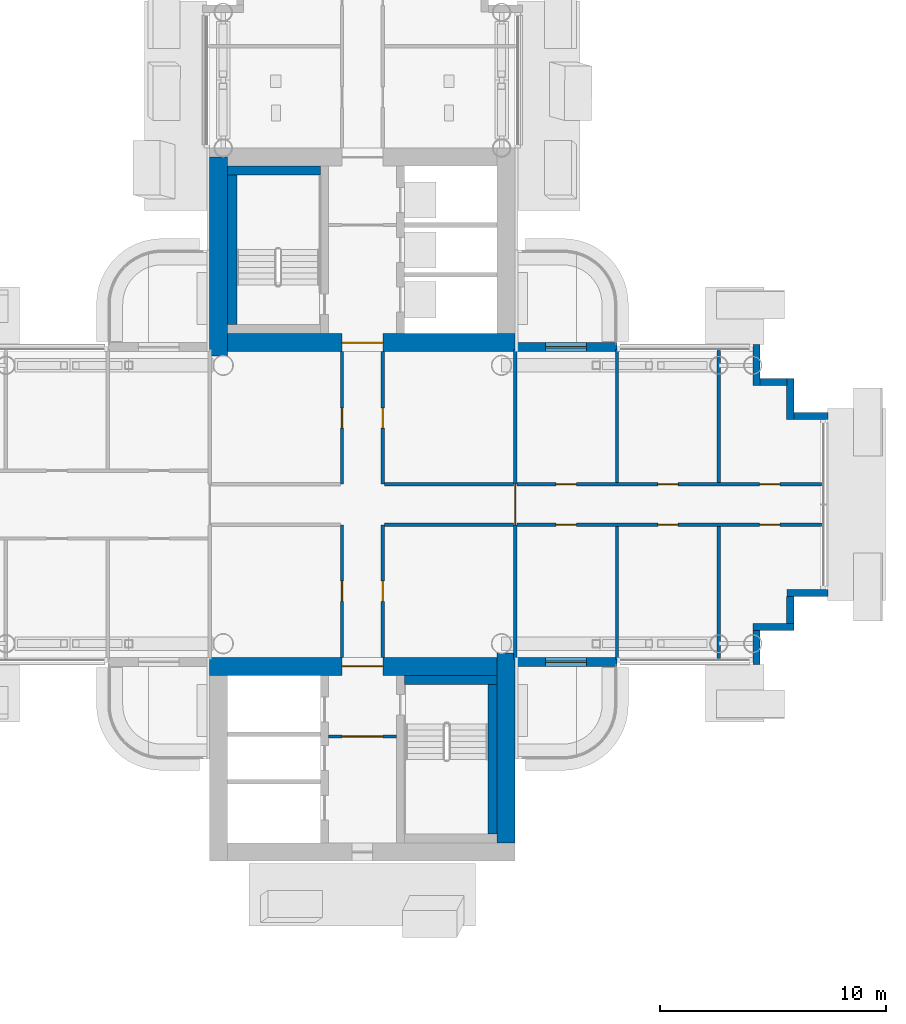
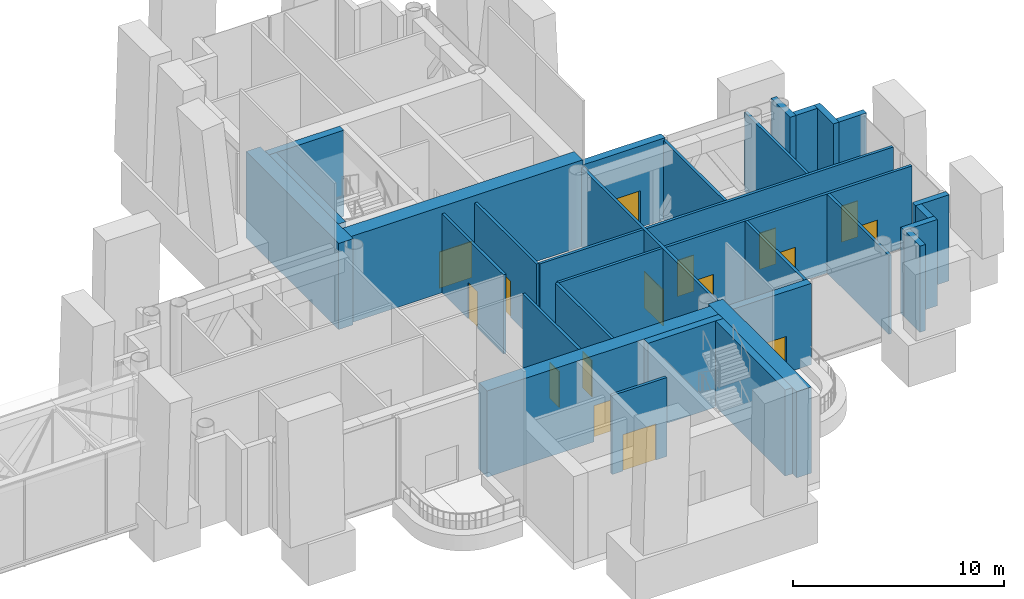
# One storey, part 16 of 34: 32 walls, 16 doors, 16 openings.
"""IFC4 building model written with IfcOpenShell, lengths in metres."""

from ifc_helpers import new_model, si_unit, direction, frame, frame_2d, origin, place, context, subcontext, project, spatial, rectangle, extrude, material, layer, layer_set, type_object, element, fill, save


model = new_model("IFC4")

# Units and contexts
model_context = context("Model", 3, precision=1e-05, world=origin(), true_north=direction((0.0, 1.0)))
body_context = subcontext(model_context, "Body", "Model", "MODEL_VIEW")
ifc_project = project(units=[si_unit("LENGTHUNIT", "METRE"), si_unit("AREAUNIT", "SQUARE_METRE"), si_unit("VOLUMEUNIT", "CUBIC_METRE"), si_unit("PLANEANGLEUNIT", "RADIAN"), si_unit("MASSUNIT", "GRAM", prefix="KILO")], contexts=[model_context])

# Site, building, storey
site_placement = place(None, origin())
site = spatial("IfcSite", under=ifc_project, at=site_placement, CompositionType="ELEMENT")
building_placement = place(site_placement, origin())
building = spatial("IfcBuilding", under=site, at=building_placement, Name="Ipe Terrace Towers", CompositionType="ELEMENT")
storey_placement = place(building_placement, frame((0.0, 0.0, 128.699951171875)))
storey = spatial("IfcBuildingStorey", under=building, at=storey_placement, Name="L35", CompositionType="ELEMENT", Elevation=128.699951171875)

# Wall, opening, door
ifc_material_1 = material(Name="Concrete C40/50 with buff precast cladding", Category="concrete")
ifc_layer_1 = layer(ifc_material_1, 0.39990234375)
ifc_layer_set_1 = layer_set([ifc_layer_1], Name="BALCONY BAY WALL 400")
wall_type_1 = type_object("IfcWallType", Name="BALCONY BAY WALL 400", PredefinedType="STANDARD", material=ifc_layer_set_1)
wall_1_placement = place(storey_placement, frame((42.75, -6.949951171875, -0.02001953125), z_axis=(0.0, 0.0, 1.0), x_axis=(1.0, 0.0, 0.0)))
wall_1 = element("IfcWall", 1, at=wall_1_placement, inside=storey, type_object=wall_type_1, Name="T2-W-L35-02a wall", PredefinedType="STANDARD", context=body_context, shape_type="SweptSolid", body=[
    extrude(rectangle(XDim=4.5, YDim=0.39990234375, at=frame_2d((2.25, 0.0))), origin(), (0.0, 0.0, 1.0), 4.719970703125),
])
opening_1_placement = place(wall_1_placement, frame((1.35009765625, 0.0, 0.02001953125)))
opening_1 = element("IfcOpeningElement", 2, at=opening_1_placement, cuts=wall_1, Name="Opening T2-D-L35-02", PredefinedType="OPENING", context=body_context, shape_type="SweptSolid", body=[
    extrude(rectangle(XDim=1.800048828125, YDim=2.10009765625, at=frame_2d((0.89990234375, 1.050048828125))), frame((0.0, 0.2099609375, 0.0), z_axis=(0.0, -1.0, 0.0), x_axis=(1.0, 0.0, 0.0)), (0.0, 0.0, 1.0), 0.419921875),
])
ifc_material_2 = material(Name="Aluminium alloy 6063-T6 framed glazed door", Category="aluminium")
door_type_1 = type_object("IfcDoorType", Name="BALCONY DOOR 1800 x 2100 RIGHT", OperationType="SINGLE_SWING_RIGHT", PredefinedType="DOOR", material=ifc_material_2)
door_1_placement = place(opening_1_placement, origin())
door_1 = element("IfcDoor", 3, at=door_1_placement, inside=storey, type_object=door_type_1, Name="DB2 door", OperationType="SINGLE_SWING_RIGHT", OverallHeight=2.10009765625, OverallWidth=1.800048828125, PredefinedType="DOOR", context=body_context, shape_type="SweptSolid", body=[
    extrude(rectangle(XDim=1.800048828125, YDim=2.10009765625, at=frame_2d((0.89990234375, 1.050048828125))), frame((0.0, 0.02490234375, 0.0), z_axis=(0.0, -1.0, 0.0), x_axis=(1.0, 0.0, 0.0)), (0.0, 0.0, 1.0), 0.050048828125),
])
fill(opening_1, door_1)

wall_2_placement = place(storey_placement, frame((47.25, 6.949951171875, -0.02001953125), z_axis=(0.0, 0.0, 1.0), x_axis=(-1.0, 0.0, 0.0)))
wall_2 = element("IfcWall", 4, at=wall_2_placement, inside=storey, type_object=wall_type_1, Name="T2-W-L35-14a wall", PredefinedType="STANDARD", context=body_context, shape_type="SweptSolid", body=[
    extrude(rectangle(XDim=4.5, YDim=0.39990234375, at=frame_2d((2.25, 0.0))), origin(), (0.0, 0.0, 1.0), 4.719970703125),
])
opening_2_placement = place(wall_2_placement, frame((1.35009765625, 0.0, 0.02001953125)))
opening_2 = element("IfcOpeningElement", 5, at=opening_2_placement, cuts=wall_2, Name="Opening T2-D-L35-14", PredefinedType="OPENING", context=body_context, shape_type="SweptSolid", body=[
    extrude(rectangle(XDim=1.800048828125, YDim=2.10009765625, at=frame_2d((0.89990234375, 1.050048828125))), frame((0.0, 0.2099609375, 0.0), z_axis=(0.0, -1.0, 0.0), x_axis=(1.0, 0.0, 0.0)), (0.0, 0.0, 1.0), 0.419921875),
])
door_2_placement = place(opening_2_placement, origin())
door_2 = element("IfcDoor", 6, at=door_2_placement, inside=storey, type_object=door_type_1, Name="DB2 door", OperationType="SINGLE_SWING_RIGHT", OverallHeight=2.10009765625, OverallWidth=1.800048828125, PredefinedType="DOOR", context=body_context, shape_type="SweptSolid", body=[
    extrude(rectangle(XDim=1.800048828125, YDim=2.10009765625, at=frame_2d((0.89990234375, 1.050048828125))), frame((0.0, 0.02490234375, 0.0), z_axis=(0.0, -1.0, 0.0), x_axis=(1.0, 0.0, 0.0)), (0.0, 0.0, 1.0), 0.050048828125),
])
fill(opening_2, door_2)

# Walls
ifc_material_3 = material(Name="Concrete C40/50 with buff precast cladding", Category="concrete")
ifc_layer_2 = layer(ifc_material_3, 0.320068359375)
ifc_layer_set_2 = layer_set([ifc_layer_2], Name="BUFF CLADDING WALL 320")
wall_type_2 = type_object("IfcWallType", Name="BUFF CLADDING WALL 320", PredefinedType="STANDARD", material=ifc_layer_set_2)
wall_3_placement = place(storey_placement, frame((53.409912109375, -7.070068359375, -0.300048828125), z_axis=(0.0, 0.0, 1.0), x_axis=(0.0, 1.0, 0.0)))
element("IfcWall", 7, at=wall_3_placement, inside=storey, type_object=wall_type_2, Name="T2-W-L35-04a wall", PredefinedType="STANDARD", context=body_context, shape_type="SweptSolid", body=[
    extrude(rectangle(XDim=1.5, YDim=0.320068359375, at=frame_2d((0.75, 0.0))), origin(), (0.0, 0.0, 1.0), 5.0),
])
wall_4_placement = place(storey_placement, frame((53.25, -5.409912109375, -0.300048828125), z_axis=(0.0, 0.0, 1.0), x_axis=(1.0, 0.0, 0.0)))
element("IfcWall", 8, at=wall_4_placement, inside=storey, type_object=wall_type_2, Name="T2-W-L35-05a wall", PredefinedType="STANDARD", context=body_context, shape_type="SweptSolid", body=[
    extrude(rectangle(XDim=1.820068359375, YDim=0.320068359375, at=frame_2d((0.91015625, 0.0))), origin(), (0.0, 0.0, 1.0), 5.0),
])
wall_5_placement = place(storey_placement, frame((54.909912109375, -5.25, -0.300048828125), z_axis=(0.0, 0.0, 1.0), x_axis=(0.0, 1.0, 0.0)))
element("IfcWall", 9, at=wall_5_placement, inside=storey, type_object=wall_type_2, Name="T2-W-L35-06a wall", PredefinedType="STANDARD", context=body_context, shape_type="SweptSolid", body=[
    extrude(rectangle(XDim=1.179931640625, YDim=0.320068359375, at=frame_2d((0.58984375, 0.0))), origin(), (0.0, 0.0, 1.0), 5.0),
])
wall_6_placement = place(storey_placement, frame((54.75, -3.909912109375, -0.300048828125), z_axis=(0.0, 0.0, 1.0), x_axis=(1.0, 0.0, 0.0)))
element("IfcWall", 10, at=wall_6_placement, inside=storey, type_object=wall_type_2, Name="T2-W-L35-07a wall", PredefinedType="STANDARD", context=body_context, shape_type="SweptSolid", body=[
    extrude(rectangle(XDim=1.820068359375, YDim=0.320068359375, at=frame_2d((0.91015625, 0.0))), origin(), (0.0, 0.0, 1.0), 5.0),
])
wall_7_placement = place(storey_placement, frame((56.570068359375, 3.909912109375, -0.300048828125), z_axis=(0.0, 0.0, 1.0), x_axis=(-1.0, 0.0, 0.0)))
element("IfcWall", 11, at=wall_7_placement, inside=storey, type_object=wall_type_2, Name="T2-W-L35-09a wall", PredefinedType="STANDARD", context=body_context, shape_type="SweptSolid", body=[
    extrude(rectangle(XDim=1.5, YDim=0.320068359375, at=frame_2d((0.75, 0.0))), origin(), (0.0, 0.0, 1.0), 5.0),
])
wall_8_placement = place(storey_placement, frame((54.909912109375, 3.75, -0.300048828125), z_axis=(0.0, 0.0, 1.0), x_axis=(0.0, 1.0, 0.0)))
element("IfcWall", 12, at=wall_8_placement, inside=storey, type_object=wall_type_2, Name="T2-W-L35-10a wall", PredefinedType="STANDARD", context=body_context, shape_type="SweptSolid", body=[
    extrude(rectangle(XDim=1.820068359375, YDim=0.320068359375, at=frame_2d((0.91015625, 0.0))), origin(), (0.0, 0.0, 1.0), 5.0),
])
wall_9_placement = place(storey_placement, frame((54.75, 5.409912109375, -0.300048828125), z_axis=(0.0, 0.0, 1.0), x_axis=(-1.0, 0.0, 0.0)))
element("IfcWall", 13, at=wall_9_placement, inside=storey, type_object=wall_type_2, Name="T2-W-L35-11a wall", PredefinedType="STANDARD", context=body_context, shape_type="SweptSolid", body=[
    extrude(rectangle(XDim=1.179931640625, YDim=0.320068359375, at=frame_2d((0.58984375, 0.0))), origin(), (0.0, 0.0, 1.0), 5.0),
])
wall_10_placement = place(storey_placement, frame((53.409912109375, 5.25, -0.300048828125), z_axis=(0.0, 0.0, 1.0), x_axis=(0.0, 1.0, 0.0)))
element("IfcWall", 14, at=wall_10_placement, inside=storey, type_object=wall_type_2, Name="T2-W-L35-12a wall", PredefinedType="STANDARD", context=body_context, shape_type="SweptSolid", body=[
    extrude(rectangle(XDim=1.820068359375, YDim=0.320068359375, at=frame_2d((0.91015625, 0.0))), origin(), (0.0, 0.0, 1.0), 5.0),
])

# Wall, opening, door
ifc_material_4 = material(Name="Gypsum board partition", Category="plasterboard")
ifc_layer_3 = layer(ifc_material_4, 0.14990234375)
ifc_layer_set_3 = layer_set([ifc_layer_3], Name="Gypsum board partition 150 mm")
wall_type_3 = type_object("IfcWallType", Name="Gypsum board partition 150 mm", PredefinedType="PARTITIONING", material=ifc_layer_set_3)
wall_11_placement = place(storey_placement, frame((34.5, -10.25, 0.0), z_axis=(0.0, 0.0, 1.0), x_axis=(1.0, 0.0, 0.0)))
wall_11 = element("IfcWall", 15, at=wall_11_placement, inside=storey, type_object=wall_type_3, Name="Gypsum board partition T2 L35 t2c2-lobby-wall", PredefinedType="PARTITIONING", context=body_context, shape_type="SweptSolid", body=[
    extrude(rectangle(XDim=3.0, YDim=0.14990234375, at=frame_2d((1.5, 0.0))), origin(), (0.0, 0.0, 1.0), 4.580078125),
])
opening_3_placement = place(wall_11_placement, frame((0.60009765625, 0.0, 0.0)))
opening_3 = element("IfcOpeningElement", 16, at=opening_3_placement, cuts=wall_11, Name="Opening T2C2-VD", PredefinedType="OPENING", context=body_context, shape_type="SweptSolid", body=[
    extrude(rectangle(XDim=1.800048828125, YDim=2.10009765625, at=frame_2d((0.89990234375, 1.050048828125))), frame((0.0, 0.0849609375, 0.0), z_axis=(0.0, -1.0, 0.0), x_axis=(1.0, 0.0, 0.0)), (0.0, 0.0, 1.0), 0.169921875),
])
ifc_material_5 = material(Name="Fire-rated timber door leaf", Category="wood")
door_type_2 = type_object("IfcDoorType", Name="Lobby door 1800 x 2100 FD60", OperationType="NOTDEFINED", PredefinedType="DOOR", material=ifc_material_5)
door_3_placement = place(opening_3_placement, origin())
door_3 = element("IfcDoor", 17, at=door_3_placement, inside=storey, type_object=door_type_2, Name="Lobby door T2C2-VD", OperationType="SINGLE_SWING_LEFT", OverallHeight=2.10009765625, OverallWidth=1.800048828125, PredefinedType="DOOR", context=body_context, shape_type="SweptSolid", body=[
    extrude(rectangle(XDim=1.800048828125, YDim=2.10009765625, at=frame_2d((0.89990234375, 1.050048828125))), frame((0.0, 0.02490234375, 0.0), z_axis=(0.0, -1.0, 0.0), x_axis=(1.0, 0.0, 0.0)), (0.0, 0.0, 1.0), 0.050048828125),
])
fill(opening_3, door_3)

wall_12_placement = place(storey_placement, frame((35.10009765625, 0.89990234375, 0.0), z_axis=(0.0, 0.0, 1.0), x_axis=(0.0, 1.0, 0.0)))
wall_12 = element("IfcWall", 18, at=wall_12_placement, inside=storey, type_object=wall_type_3, Name="Gypsum board partition T2 L35 sp-hub-qen-x", PredefinedType="PARTITIONING", context=body_context, shape_type="SweptSolid", body=[
    extrude(rectangle(XDim=5.85009765625, YDim=0.14990234375, at=frame_2d((2.925048828125, 0.0))), origin(), (0.0, 0.0, 1.0), 4.580078125),
])
opening_4_placement = place(wall_12_placement, frame((2.47509765625, 0.0, 0.0)))
opening_4 = element("IfcOpeningElement", 19, at=opening_4_placement, cuts=wall_12, Name="Opening T2-SP-HEN", PredefinedType="OPENING", context=body_context, shape_type="SweptSolid", body=[
    extrude(rectangle(XDim=0.89990234375, YDim=2.10009765625, at=frame_2d((0.449951171875, 1.050048828125))), frame((0.0, 0.0849609375, 0.0), z_axis=(0.0, -1.0, 0.0), x_axis=(1.0, 0.0, 0.0)), (0.0, 0.0, 1.0), 0.169921875),
])
ifc_material_6 = material(Name="Fire-rated timber door leaf", Category="wood")
door_type_3 = type_object("IfcDoorType", Name="Lounge door 900 x 2100 FD30S", OperationType="NOTDEFINED", PredefinedType="DOOR", material=ifc_material_6)
door_4_placement = place(opening_4_placement, origin())
door_4 = element("IfcDoor", 20, at=door_4_placement, inside=storey, type_object=door_type_3, Name="Lounge door T2-SP-HEN", OperationType="SINGLE_SWING_LEFT", OverallHeight=2.10009765625, OverallWidth=0.89990234375, PredefinedType="DOOR", context=body_context, shape_type="SweptSolid", body=[
    extrude(rectangle(XDim=0.89990234375, YDim=2.10009765625, at=frame_2d((0.449951171875, 1.050048828125))), frame((0.0, 0.02490234375, 0.0), z_axis=(0.0, -1.0, 0.0), x_axis=(1.0, 0.0, 0.0)), (0.0, 0.0, 1.0), 0.050048828125),
])
fill(opening_4, door_4)

wall_13_placement = place(storey_placement, frame((36.89990234375, 0.89990234375, 0.0), z_axis=(0.0, 0.0, 1.0), x_axis=(0.0, 1.0, 0.0)))
wall_13 = element("IfcWall", 21, at=wall_13_placement, inside=storey, type_object=wall_type_3, Name="Gypsum board partition T2 L35 sp-hub-qes-x", PredefinedType="PARTITIONING", context=body_context, shape_type="SweptSolid", body=[
    extrude(rectangle(XDim=5.85009765625, YDim=0.14990234375, at=frame_2d((2.925048828125, 0.0))), origin(), (0.0, 0.0, 1.0), 4.580078125),
])
opening_5_placement = place(wall_13_placement, frame((2.47509765625, 0.0, 0.0)))
opening_5 = element("IfcOpeningElement", 22, at=opening_5_placement, cuts=wall_13, Name="Opening T2-SP-HES", PredefinedType="OPENING", context=body_context, shape_type="SweptSolid", body=[
    extrude(rectangle(XDim=0.89990234375, YDim=2.10009765625, at=frame_2d((0.449951171875, 1.050048828125))), frame((0.0, 0.0849609375, 0.0), z_axis=(0.0, -1.0, 0.0), x_axis=(1.0, 0.0, 0.0)), (0.0, 0.0, 1.0), 0.169921875),
])
door_5_placement = place(opening_5_placement, origin())
door_5 = element("IfcDoor", 23, at=door_5_placement, inside=storey, type_object=door_type_3, Name="Lounge door T2-SP-HES", OperationType="SINGLE_SWING_RIGHT", OverallHeight=2.10009765625, OverallWidth=0.89990234375, PredefinedType="DOOR", context=body_context, shape_type="SweptSolid", body=[
    extrude(rectangle(XDim=0.89990234375, YDim=2.10009765625, at=frame_2d((0.449951171875, 1.050048828125))), frame((0.0, 0.02490234375, 0.0), z_axis=(0.0, -1.0, 0.0), x_axis=(1.0, 0.0, 0.0)), (0.0, 0.0, 1.0), 0.050048828125),
])
fill(opening_5, door_5)

# Wall
wall_14_placement = place(storey_placement, frame((42.675048828125, 0.89990234375, 0.0), z_axis=(0.0, 0.0, 1.0), x_axis=(-1.0, 0.0, 0.0)))
element("IfcWall", 24, at=wall_14_placement, inside=storey, type_object=wall_type_3, Name="Gypsum board partition T2 L35 sp-hub-qes-y", PredefinedType="PARTITIONING", context=body_context, shape_type="SweptSolid", body=[
    extrude(rectangle(XDim=5.699951171875, YDim=0.14990234375, at=frame_2d((2.85009765625, 0.0))), origin(), (0.0, 0.0, 1.0), 4.580078125),
])

# Wall, opening, door
wall_15_placement = place(storey_placement, frame((35.10009765625, -6.75, 0.0), z_axis=(0.0, 0.0, 1.0), x_axis=(0.0, 1.0, 0.0)))
wall_15 = element("IfcWall", 25, at=wall_15_placement, inside=storey, type_object=wall_type_3, Name="Gypsum board partition T2 L35 sp-hub-qwn-x", PredefinedType="PARTITIONING", context=body_context, shape_type="SweptSolid", body=[
    extrude(rectangle(XDim=5.85009765625, YDim=0.14990234375, at=frame_2d((2.925048828125, 0.0))), origin(), (0.0, 0.0, 1.0), 4.580078125),
])
opening_6_placement = place(wall_15_placement, frame((2.47509765625, 0.0, 0.0)))
opening_6 = element("IfcOpeningElement", 26, at=opening_6_placement, cuts=wall_15, Name="Opening T2-SP-HWN", PredefinedType="OPENING", context=body_context, shape_type="SweptSolid", body=[
    extrude(rectangle(XDim=0.89990234375, YDim=2.10009765625, at=frame_2d((0.449951171875, 1.050048828125))), frame((0.0, 0.0849609375, 0.0), z_axis=(0.0, -1.0, 0.0), x_axis=(1.0, 0.0, 0.0)), (0.0, 0.0, 1.0), 0.169921875),
])
door_6_placement = place(opening_6_placement, origin())
door_6 = element("IfcDoor", 27, at=door_6_placement, inside=storey, type_object=door_type_3, Name="Lounge door T2-SP-HWN", OperationType="SINGLE_SWING_LEFT", OverallHeight=2.10009765625, OverallWidth=0.89990234375, PredefinedType="DOOR", context=body_context, shape_type="SweptSolid", body=[
    extrude(rectangle(XDim=0.89990234375, YDim=2.10009765625, at=frame_2d((0.449951171875, 1.050048828125))), frame((0.0, 0.02490234375, 0.0), z_axis=(0.0, -1.0, 0.0), x_axis=(1.0, 0.0, 0.0)), (0.0, 0.0, 1.0), 0.050048828125),
])
fill(opening_6, door_6)

wall_16_placement = place(storey_placement, frame((36.89990234375, -6.75, 0.0), z_axis=(0.0, 0.0, 1.0), x_axis=(0.0, 1.0, 0.0)))
wall_16 = element("IfcWall", 28, at=wall_16_placement, inside=storey, type_object=wall_type_3, Name="Gypsum board partition T2 L35 sp-hub-qws-x", PredefinedType="PARTITIONING", context=body_context, shape_type="SweptSolid", body=[
    extrude(rectangle(XDim=5.85009765625, YDim=0.14990234375, at=frame_2d((2.925048828125, 0.0))), origin(), (0.0, 0.0, 1.0), 4.580078125),
])
opening_7_placement = place(wall_16_placement, frame((2.47509765625, 0.0, 0.0)))
opening_7 = element("IfcOpeningElement", 29, at=opening_7_placement, cuts=wall_16, Name="Opening T2-SP-HWS", PredefinedType="OPENING", context=body_context, shape_type="SweptSolid", body=[
    extrude(rectangle(XDim=0.89990234375, YDim=2.10009765625, at=frame_2d((0.449951171875, 1.050048828125))), frame((0.0, 0.0849609375, 0.0), z_axis=(0.0, -1.0, 0.0), x_axis=(1.0, 0.0, 0.0)), (0.0, 0.0, 1.0), 0.169921875),
])
door_7_placement = place(opening_7_placement, origin())
door_7 = element("IfcDoor", 30, at=door_7_placement, inside=storey, type_object=door_type_3, Name="Lounge door T2-SP-HWS", OperationType="SINGLE_SWING_RIGHT", OverallHeight=2.10009765625, OverallWidth=0.89990234375, PredefinedType="DOOR", context=body_context, shape_type="SweptSolid", body=[
    extrude(rectangle(XDim=0.89990234375, YDim=2.10009765625, at=frame_2d((0.449951171875, 1.050048828125))), frame((0.0, 0.02490234375, 0.0), z_axis=(0.0, -1.0, 0.0), x_axis=(1.0, 0.0, 0.0)), (0.0, 0.0, 1.0), 0.050048828125),
])
fill(opening_7, door_7)

# Wall
wall_17_placement = place(storey_placement, frame((42.675048828125, -0.89990234375, 0.0), z_axis=(0.0, 0.0, 1.0), x_axis=(-1.0, 0.0, 0.0)))
element("IfcWall", 31, at=wall_17_placement, inside=storey, type_object=wall_type_3, Name="Gypsum board partition T2 L35 sp-hub-qws-y", PredefinedType="PARTITIONING", context=body_context, shape_type="SweptSolid", body=[
    extrude(rectangle(XDim=5.699951171875, YDim=0.14990234375, at=frame_2d((2.85009765625, 0.0))), origin(), (0.0, 0.0, 1.0), 4.580078125),
])

# Wall, opening, door
wall_18_placement = place(storey_placement, frame((42.75, -6.85009765625, 0.0), z_axis=(0.0, 0.0, 1.0), x_axis=(0.0, 1.0, 0.0)))
wall_18 = element("IfcWall", 32, at=wall_18_placement, inside=storey, type_object=wall_type_3, Name="Gypsum board partition T2 L35 sp-Sm-mouth", PredefinedType="PARTITIONING", context=body_context, shape_type="SweptSolid", body=[
    extrude(rectangle(XDim=13.7001953125, YDim=0.14990234375, at=frame_2d((6.85009765625, 0.0))), origin(), (0.0, 0.0, 1.0), 4.580078125),
])
opening_8_placement = place(wall_18_placement, frame((5.949951171875, 0.0, 0.0)))
opening_8 = element("IfcOpeningElement", 33, at=opening_8_placement, cuts=wall_18, Name="Opening T2-SP-MSm", PredefinedType="OPENING", context=body_context, shape_type="SweptSolid", body=[
    extrude(rectangle(XDim=1.800048828125, YDim=2.10009765625, at=frame_2d((0.89990234375, 1.050048828125))), frame((0.0, 0.0849609375, 0.0), z_axis=(0.0, -1.0, 0.0), x_axis=(1.0, 0.0, 0.0)), (0.0, 0.0, 1.0), 0.169921875),
])
ifc_material_7 = material(Name="Fire-rated timber door leaf", Category="wood")
door_type_4 = type_object("IfcDoorType", Name="Lobby door 1800 x 2100 FD30S", OperationType="NOTDEFINED", PredefinedType="DOOR", material=ifc_material_7)
door_8_placement = place(opening_8_placement, origin())
door_8 = element("IfcDoor", 34, at=door_8_placement, inside=storey, type_object=door_type_4, Name="Lobby door T2-SP-MSm", OperationType="SINGLE_SWING_RIGHT", OverallHeight=2.10009765625, OverallWidth=1.800048828125, PredefinedType="DOOR", context=body_context, shape_type="SweptSolid", body=[
    extrude(rectangle(XDim=1.800048828125, YDim=2.10009765625, at=frame_2d((0.89990234375, 1.050048828125))), frame((0.0, 0.02490234375, 0.0), z_axis=(0.0, -1.0, 0.0), x_axis=(1.0, 0.0, 0.0)), (0.0, 0.0, 1.0), 0.050048828125),
])
fill(opening_8, door_8)

# Wall, openings, doors
wall_19_placement = place(storey_placement, frame((56.35009765625, 0.89990234375, 0.0), z_axis=(0.0, 0.0, 1.0), x_axis=(-1.0, 0.0, 0.0)))
wall_19 = element("IfcWall", 35, at=wall_19_placement, inside=storey, type_object=wall_type_3, Name="Gypsum board partition T2 L35 sp-Sm-wp", PredefinedType="PARTITIONING", context=body_context, shape_type="SweptSolid", body=[
    extrude(rectangle(XDim=13.525146484375, YDim=0.14990234375, at=frame_2d((6.7626953125, 0.0))), origin(), (0.0, 0.0, 1.0), 4.580078125),
])
opening_9_placement = place(wall_19_placement, frame((1.89990234375, 0.0, 0.0)))
opening_9 = element("IfcOpeningElement", 36, at=opening_9_placement, cuts=wall_19, Name="Opening T2-SP-PSm1", PredefinedType="OPENING", context=body_context, shape_type="SweptSolid", body=[
    extrude(rectangle(XDim=0.89990234375, YDim=2.10009765625, at=frame_2d((0.449951171875, 1.050048828125))), frame((0.0, 0.0849609375, 0.0), z_axis=(0.0, -1.0, 0.0), x_axis=(1.0, 0.0, 0.0)), (0.0, 0.0, 1.0), 0.169921875),
])
opening_10_placement = place(wall_19_placement, frame((6.39990234375, 0.0, 0.0)))
opening_10 = element("IfcOpeningElement", 37, at=opening_10_placement, cuts=wall_19, Name="Opening T2-SP-PSm2", PredefinedType="OPENING", context=body_context, shape_type="SweptSolid", body=[
    extrude(rectangle(XDim=0.89990234375, YDim=2.10009765625, at=frame_2d((0.449951171875, 1.050048828125))), frame((0.0, 0.0849609375, 0.0), z_axis=(0.0, -1.0, 0.0), x_axis=(1.0, 0.0, 0.0)), (0.0, 0.0, 1.0), 0.169921875),
])
opening_11_placement = place(wall_19_placement, frame((10.89990234375, 0.0, 0.0)))
opening_11 = element("IfcOpeningElement", 38, at=opening_11_placement, cuts=wall_19, Name="Opening T2-SP-PSm3-FD30S", PredefinedType="OPENING", context=body_context, shape_type="SweptSolid", body=[
    extrude(rectangle(XDim=0.89990234375, YDim=2.10009765625, at=frame_2d((0.449951171875, 1.050048828125))), frame((0.0, 0.0849609375, 0.0), z_axis=(0.0, -1.0, 0.0), x_axis=(1.0, 0.0, 0.0)), (0.0, 0.0, 1.0), 0.169921875),
])
door_9_placement = place(opening_9_placement, origin())
door_9 = element("IfcDoor", 39, at=door_9_placement, inside=storey, type_object=door_type_3, Name="Lounge door T2-SP-PSm1", OperationType="SINGLE_SWING_LEFT", OverallHeight=2.10009765625, OverallWidth=0.89990234375, PredefinedType="DOOR", context=body_context, shape_type="SweptSolid", body=[
    extrude(rectangle(XDim=0.89990234375, YDim=2.10009765625, at=frame_2d((0.449951171875, 1.050048828125))), frame((0.0, 0.02490234375, 0.0), z_axis=(0.0, -1.0, 0.0), x_axis=(1.0, 0.0, 0.0)), (0.0, 0.0, 1.0), 0.050048828125),
])
fill(opening_9, door_9)
door_10_placement = place(opening_10_placement, origin())
door_10 = element("IfcDoor", 40, at=door_10_placement, inside=storey, type_object=door_type_3, Name="Lounge door T2-SP-PSm2", OperationType="SINGLE_SWING_RIGHT", OverallHeight=2.10009765625, OverallWidth=0.89990234375, PredefinedType="DOOR", context=body_context, shape_type="SweptSolid", body=[
    extrude(rectangle(XDim=0.89990234375, YDim=2.10009765625, at=frame_2d((0.449951171875, 1.050048828125))), frame((0.0, 0.02490234375, 0.0), z_axis=(0.0, -1.0, 0.0), x_axis=(1.0, 0.0, 0.0)), (0.0, 0.0, 1.0), 0.050048828125),
])
fill(opening_10, door_10)
door_11_placement = place(opening_11_placement, origin())
door_11 = element("IfcDoor", 41, at=door_11_placement, inside=storey, type_object=door_type_3, Name="Lounge door T2-SP-PSm3-FD30S", OperationType="SINGLE_SWING_LEFT", OverallHeight=2.10009765625, OverallWidth=0.89990234375, PredefinedType="DOOR", context=body_context, shape_type="SweptSolid", body=[
    extrude(rectangle(XDim=0.89990234375, YDim=2.10009765625, at=frame_2d((0.449951171875, 1.050048828125))), frame((0.0, 0.02490234375, 0.0), z_axis=(0.0, -1.0, 0.0), x_axis=(1.0, 0.0, 0.0)), (0.0, 0.0, 1.0), 0.050048828125),
])
fill(opening_11, door_11)

# Walls
for number, where, z_axis, x_axis, name in (
    (42, (51.75, 0.97509765625, 0.0), (0.0, 0.0, 1.0), (0.0, 1.0, 0.0), "Gypsum board partition T2 L35 sp-Sm-dp1"),
    (43, (47.25, 0.97509765625, 0.0), (0.0, 0.0, 1.0), (0.0, 1.0, 0.0), "Gypsum board partition T2 L35 sp-Sm-dp2"),
):
    element("IfcWall", number, at=place(storey_placement, frame(where, z_axis=z_axis, x_axis=x_axis)), inside=storey, type_object=wall_type_3, Name=name, PredefinedType="PARTITIONING", context=body_context, shape_type="SweptSolid", body=[
        extrude(rectangle(XDim=5.875, YDim=0.14990234375, at=frame_2d((2.9375, 0.0))), origin(), (0.0, 0.0, 1.0), 4.580078125),
    ])

# Wall, openings, doors
wall_20_placement = place(storey_placement, frame((56.35009765625, -0.89990234375, 0.0), z_axis=(0.0, 0.0, 1.0), x_axis=(-1.0, 0.0, 0.0)))
wall_20 = element("IfcWall", 44, at=wall_20_placement, inside=storey, type_object=wall_type_3, Name="Gypsum board partition T2 L35 sp-Sm-wm", PredefinedType="PARTITIONING", context=body_context, shape_type="SweptSolid", body=[
    extrude(rectangle(XDim=13.525146484375, YDim=0.14990234375, at=frame_2d((6.7626953125, 0.0))), origin(), (0.0, 0.0, 1.0), 4.580078125),
])
opening_12_placement = place(wall_20_placement, frame((1.89990234375, 0.0, 0.0)))
opening_12 = element("IfcOpeningElement", 45, at=opening_12_placement, cuts=wall_20, Name="Opening T2-SP-MSm1", PredefinedType="OPENING", context=body_context, shape_type="SweptSolid", body=[
    extrude(rectangle(XDim=0.89990234375, YDim=2.10009765625, at=frame_2d((0.449951171875, 1.050048828125))), frame((0.0, 0.0849609375, 0.0), z_axis=(0.0, -1.0, 0.0), x_axis=(1.0, 0.0, 0.0)), (0.0, 0.0, 1.0), 0.169921875),
])
opening_13_placement = place(wall_20_placement, frame((6.39990234375, 0.0, 0.0)))
opening_13 = element("IfcOpeningElement", 46, at=opening_13_placement, cuts=wall_20, Name="Opening T2-SP-MSm2", PredefinedType="OPENING", context=body_context, shape_type="SweptSolid", body=[
    extrude(rectangle(XDim=0.89990234375, YDim=2.10009765625, at=frame_2d((0.449951171875, 1.050048828125))), frame((0.0, 0.0849609375, 0.0), z_axis=(0.0, -1.0, 0.0), x_axis=(1.0, 0.0, 0.0)), (0.0, 0.0, 1.0), 0.169921875),
])
opening_14_placement = place(wall_20_placement, frame((10.89990234375, 0.0, 0.0)))
opening_14 = element("IfcOpeningElement", 47, at=opening_14_placement, cuts=wall_20, Name="Opening T2-SP-MSm3", PredefinedType="OPENING", context=body_context, shape_type="SweptSolid", body=[
    extrude(rectangle(XDim=0.89990234375, YDim=2.10009765625, at=frame_2d((0.449951171875, 1.050048828125))), frame((0.0, 0.0849609375, 0.0), z_axis=(0.0, -1.0, 0.0), x_axis=(1.0, 0.0, 0.0)), (0.0, 0.0, 1.0), 0.169921875),
])
door_12_placement = place(opening_12_placement, origin())
door_12 = element("IfcDoor", 48, at=door_12_placement, inside=storey, type_object=door_type_3, Name="Lounge door T2-SP-MSm1", OperationType="SINGLE_SWING_RIGHT", OverallHeight=2.10009765625, OverallWidth=0.89990234375, PredefinedType="DOOR", context=body_context, shape_type="SweptSolid", body=[
    extrude(rectangle(XDim=0.89990234375, YDim=2.10009765625, at=frame_2d((0.449951171875, 1.050048828125))), frame((0.0, 0.02490234375, 0.0), z_axis=(0.0, -1.0, 0.0), x_axis=(1.0, 0.0, 0.0)), (0.0, 0.0, 1.0), 0.050048828125),
])
fill(opening_12, door_12)
door_13_placement = place(opening_13_placement, origin())
door_13 = element("IfcDoor", 49, at=door_13_placement, inside=storey, type_object=door_type_3, Name="Lounge door T2-SP-MSm2", OperationType="SINGLE_SWING_LEFT", OverallHeight=2.10009765625, OverallWidth=0.89990234375, PredefinedType="DOOR", context=body_context, shape_type="SweptSolid", body=[
    extrude(rectangle(XDim=0.89990234375, YDim=2.10009765625, at=frame_2d((0.449951171875, 1.050048828125))), frame((0.0, 0.02490234375, 0.0), z_axis=(0.0, -1.0, 0.0), x_axis=(1.0, 0.0, 0.0)), (0.0, 0.0, 1.0), 0.050048828125),
])
fill(opening_13, door_13)
door_14_placement = place(opening_14_placement, origin())
door_14 = element("IfcDoor", 50, at=door_14_placement, inside=storey, type_object=door_type_3, Name="Lounge door T2-SP-MSm3", OperationType="SINGLE_SWING_RIGHT", OverallHeight=2.10009765625, OverallWidth=0.89990234375, PredefinedType="DOOR", context=body_context, shape_type="SweptSolid", body=[
    extrude(rectangle(XDim=0.89990234375, YDim=2.10009765625, at=frame_2d((0.449951171875, 1.050048828125))), frame((0.0, 0.02490234375, 0.0), z_axis=(0.0, -1.0, 0.0), x_axis=(1.0, 0.0, 0.0)), (0.0, 0.0, 1.0), 0.050048828125),
])
fill(opening_14, door_14)

# Walls
for number, where, z_axis, x_axis, name in (
    (51, (51.75, -0.97509765625, 0.0), (0.0, 0.0, 1.0), (0.0, -1.0, 0.0), "Gypsum board partition T2 L35 sp-Sm-dm1"),
    (52, (47.25, -0.97509765625, 0.0), (0.0, 0.0, 1.0), (0.0, -1.0, 0.0), "Gypsum board partition T2 L35 sp-Sm-dm2"),
):
    element("IfcWall", number, at=place(storey_placement, frame(where, z_axis=z_axis, x_axis=x_axis)), inside=storey, type_object=wall_type_3, Name=name, PredefinedType="PARTITIONING", context=body_context, shape_type="SweptSolid", body=[
        extrude(rectangle(XDim=5.875, YDim=0.14990234375, at=frame_2d((2.9375, 0.0))), origin(), (0.0, 0.0, 1.0), 4.580078125),
    ])
ifc_material_8 = material(Name="Concrete C50/60", Category="concrete")
ifc_layer_4 = layer(ifc_material_8, 0.39990234375)
ifc_layer_set_4 = layer_set([ifc_layer_4], Name="RW400 CORE INFILL WALL 400 C50-60")
wall_type_4 = type_object("IfcWallType", Name="RW400 CORE INFILL WALL 400 C50-60", PredefinedType="SHEAR", material=ifc_layer_set_4)
wall_21_placement = place(storey_placement, frame((34.14990234375, 14.75, 0.0), z_axis=(0.0, 0.0, 1.0), x_axis=(-1.0, 0.0, 0.0)))
element("IfcWall", 53, at=wall_21_placement, inside=storey, type_object=wall_type_4, Name="Core infill wall T2-C1-far", PredefinedType="SHEAR", context=body_context, shape_type="SweptSolid", body=[
    extrude(rectangle(XDim=4.099853515625, YDim=0.39990234375, at=frame_2d((2.0498046875, 0.0))), origin(), (0.0, 0.0, 1.0), 5.0),
])
for number, where, z_axis, x_axis, name in (
    (54, (30.25, 7.949951171875, 0.0), (0.0, 0.0, 1.0), (0.0, 1.0, 0.0), "Core infill wall T2-C1-back"),
    (55, (41.75, -7.949951171875, 0.0), (0.0, 0.0, 1.0), (0.0, -1.0, 0.0), "Core infill wall T2-C2-back"),
):
    element("IfcWall", number, at=place(storey_placement, frame(where, z_axis=z_axis, x_axis=x_axis)), inside=storey, type_object=wall_type_4, Name=name, PredefinedType="SHEAR", context=body_context, shape_type="SweptSolid", body=[
        extrude(rectangle(XDim=6.60009765625, YDim=0.39990234375, at=frame_2d((3.300048828125, 0.0))), origin(), (0.0, 0.0, 1.0), 5.0),
    ])
wall_22_placement = place(storey_placement, frame((37.85009765625, -7.75, 0.0), z_axis=(0.0, 0.0, 1.0), x_axis=(1.0, 0.0, 0.0)))
element("IfcWall", 56, at=wall_22_placement, inside=storey, type_object=wall_type_4, Name="Core infill wall T2-C2-near", PredefinedType="SHEAR", context=body_context, shape_type="SweptSolid", body=[
    extrude(rectangle(XDim=4.099853515625, YDim=0.39990234375, at=frame_2d((2.0498046875, 0.0))), origin(), (0.0, 0.0, 1.0), 5.0),
])

# Wall, opening, door
ifc_material_9 = material(Name="Concrete C50/60", Category="concrete")
ifc_layer_5 = layer(ifc_material_9, 0.800048828125)
ifc_layer_set_5 = layer_set([ifc_layer_5], Name="RW800 CORE WALL 800 C50-60")
wall_type_5 = type_object("IfcWallType", Name="RW800 CORE WALL 800 C50-60", PredefinedType="SHEAR", material=ifc_layer_set_5)
wall_23_placement = place(storey_placement, frame((30.050048828125, 7.14990234375, 0.0), z_axis=(0.0, 0.0, 1.0), x_axis=(1.0, 0.0, 0.0)))
wall_23 = element("IfcWall", 57, at=wall_23_placement, inside=storey, type_object=wall_type_5, Name="Core wall T2-C1-Z3-W01", PredefinedType="SHEAR", context=body_context, shape_type="SweptSolid", body=[
    extrude(rectangle(XDim=12.699951171875, YDim=0.800048828125, at=frame_2d((6.35009765625, 0.0))), origin(), (0.0, 0.0, 1.0), 5.0),
])
opening_15_placement = place(wall_23_placement, frame((5.050048828125, 0.0, 0.0)))
opening_15 = element("IfcOpeningElement", 58, at=opening_15_placement, cuts=wall_23, Name="Opening T2C1-ND", PredefinedType="OPENING", context=body_context, shape_type="SweptSolid", body=[
    extrude(rectangle(XDim=1.800048828125, YDim=2.10009765625, at=frame_2d((0.89990234375, 1.050048828125))), frame((0.0, 0.41015625, 0.0), z_axis=(0.0, -1.0, 0.0), x_axis=(1.0, 0.0, 0.0)), (0.0, 0.0, 1.0), 0.820068359375),
])
ifc_material_10 = material(Name="Fire-rated timber door leaf", Category="wood")
door_type_5 = type_object("IfcDoorType", Name="Fire door 1800 x 2100 FD30S", OperationType="NOTDEFINED", PredefinedType="DOOR", material=ifc_material_10)
door_15_placement = place(opening_15_placement, origin())
door_15 = element("IfcDoor", 59, at=door_15_placement, inside=storey, type_object=door_type_5, Name="Fire door T2C1-ND", OperationType="SINGLE_SWING_LEFT", OverallHeight=2.10009765625, OverallWidth=1.800048828125, PredefinedType="DOOR", context=body_context, shape_type="SweptSolid", body=[
    extrude(rectangle(XDim=1.800048828125, YDim=2.10009765625, at=frame_2d((0.89990234375, 1.050048828125))), frame((0.0, 0.02490234375, 0.0), z_axis=(0.0, -1.0, 0.0), x_axis=(1.0, 0.0, 0.0)), (0.0, 0.0, 1.0), 0.050048828125),
])
fill(opening_15, door_15)

# Walls
wall_24_placement = place(storey_placement, frame((29.64990234375, 15.347900390625, 0.0), z_axis=(0.0, 0.0, 1.0), x_axis=(0.0, -1.0, 0.0)))
element("IfcWall", 60, at=wall_24_placement, inside=storey, type_object=wall_type_5, Name="Core wall T2-C1-Z3-W04", PredefinedType="SHEAR", context=body_context, shape_type="SweptSolid", body=[
    extrude(rectangle(XDim=8.7958984375, YDim=0.800048828125, at=frame_2d((4.39794921875, 0.0))), origin(), (0.0, 0.0, 1.0), 5.0),
])
wall_25_placement = place(storey_placement, frame((42.35009765625, -14.949951171875, 0.0), z_axis=(0.0, 0.0, 1.0), x_axis=(0.0, 1.0, 0.0)))
element("IfcWall", 61, at=wall_25_placement, inside=storey, type_object=wall_type_5, Name="Core wall T2-C2-Z3-W02", PredefinedType="SHEAR", context=body_context, shape_type="SweptSolid", body=[
    extrude(rectangle(XDim=8.39794921875, YDim=0.800048828125, at=frame_2d((4.198974609375, 0.0))), origin(), (0.0, 0.0, 1.0), 5.0),
])

# Wall, opening, door
wall_26_placement = place(storey_placement, frame((41.949951171875, -7.14990234375, 0.0), z_axis=(0.0, 0.0, 1.0), x_axis=(-1.0, 0.0, 0.0)))
wall_26 = element("IfcWall", 62, at=wall_26_placement, inside=storey, type_object=wall_type_5, Name="Core wall T2-C2-Z3-W03", PredefinedType="SHEAR", context=body_context, shape_type="SweptSolid", body=[
    extrude(rectangle(XDim=12.699951171875, YDim=0.800048828125, at=frame_2d((6.35009765625, 0.0))), origin(), (0.0, 0.0, 1.0), 5.0),
])
opening_16_placement = place(wall_26_placement, frame((5.050048828125, 0.0, 0.0)))
opening_16 = element("IfcOpeningElement", 63, at=opening_16_placement, cuts=wall_26, Name="Opening T2C2-ND", PredefinedType="OPENING", context=body_context, shape_type="SweptSolid", body=[
    extrude(rectangle(XDim=1.800048828125, YDim=2.10009765625, at=frame_2d((0.89990234375, 1.050048828125))), frame((0.0, 0.41015625, 0.0), z_axis=(0.0, -1.0, 0.0), x_axis=(1.0, 0.0, 0.0)), (0.0, 0.0, 1.0), 0.820068359375),
])
door_16_placement = place(opening_16_placement, origin())
door_16 = element("IfcDoor", 64, at=door_16_placement, inside=storey, type_object=door_type_5, Name="Fire door T2C2-ND", OperationType="SINGLE_SWING_LEFT", OverallHeight=2.10009765625, OverallWidth=1.800048828125, PredefinedType="DOOR", context=body_context, shape_type="SweptSolid", body=[
    extrude(rectangle(XDim=1.800048828125, YDim=2.10009765625, at=frame_2d((0.89990234375, 1.050048828125))), frame((0.0, 0.02490234375, 0.0), z_axis=(0.0, -1.0, 0.0), x_axis=(1.0, 0.0, 0.0)), (0.0, 0.0, 1.0), 0.050048828125),
])
fill(opening_16, door_16)

save(model, "model.ifc")
